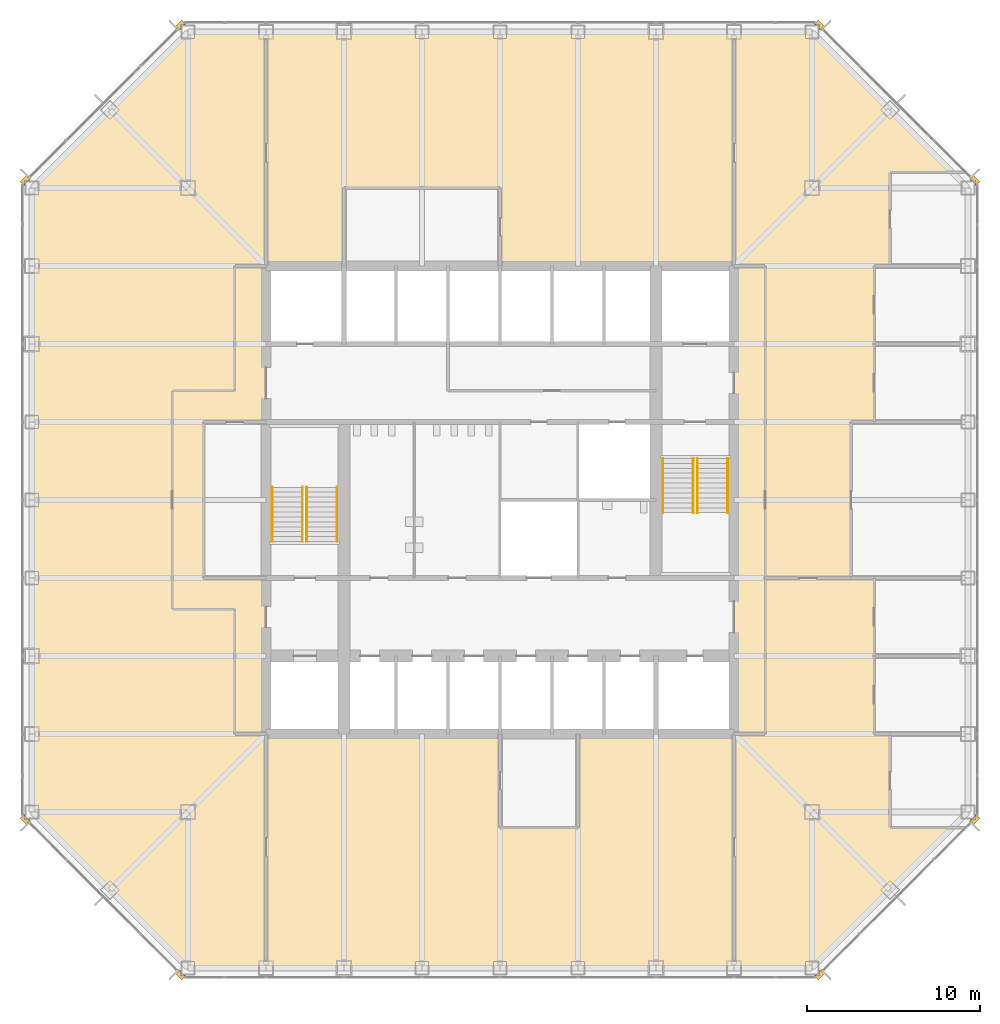
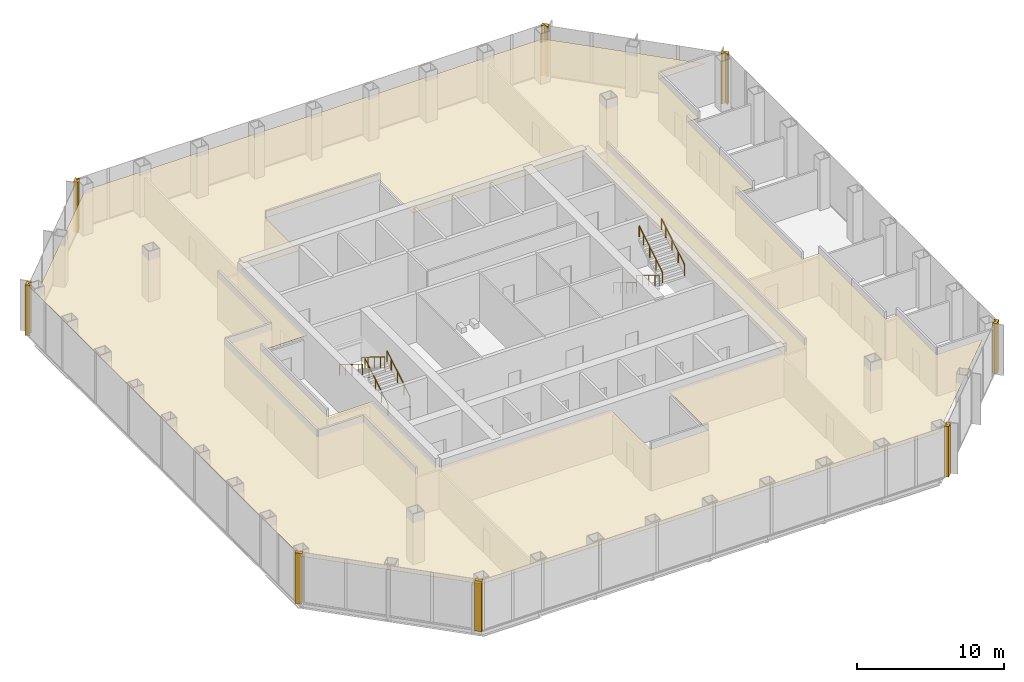
# One storey, part 11 of 12: 9 coverings, 8 railings.
"""IFC4 building model written with IfcOpenShell, lengths in metres."""

from ifc_helpers import new_model, si_unit, direction, frame, origin, origin_2d, place, context, subcontext, project, spatial, polyline, circle, outline, extrude, material, layer, layer_set, type_object, element, save


model = new_model("IFC4")

# Units and contexts
model_context = context("Model", 3, precision=1e-05, world=origin(), true_north=direction((0.0, 1.0)))
body_context = subcontext(model_context, "Body", "Model", "MODEL_VIEW")
ifc_project = project(units=[si_unit("LENGTHUNIT", "METRE"), si_unit("AREAUNIT", "SQUARE_METRE"), si_unit("VOLUMEUNIT", "CUBIC_METRE"), si_unit("PLANEANGLEUNIT", "RADIAN"), si_unit("MASSUNIT", "GRAM", prefix="KILO")], contexts=[model_context])

# Site, building, storey
site_placement = place(None, origin())
site = spatial("IfcSite", under=ifc_project, at=site_placement, CompositionType="ELEMENT")
building_placement = place(site_placement, origin())
building = spatial("IfcBuilding", under=site, at=building_placement, Name="Corais Broadcast Tower", CompositionType="ELEMENT")
storey_placement = place(building_placement, frame((0.0, 0.0, 75.199951171875)))
storey = spatial("IfcBuildingStorey", under=building, at=storey_placement, Name="L16", CompositionType="ELEMENT", Elevation=75.199951171875)

# Railings
ifc_material_1 = material(Name="Stainless steel handrail", Category="steel")
railing_type = type_object("IfcRailingType", Name="Handrail 920", PredefinedType="HANDRAIL", material=ifc_material_1)
for number, where, name in (
    (1, (17.60009765625, 24.60009765625, 0.175048828125), "HR1 L16"),
    (2, (15.85009765625, 24.60009765625, 0.175048828125), "HR1 L16"),
):
    element("IfcRailing", number, at=place(storey_placement, frame(where)), inside=storey, type_object=railing_type, Name=name, PredefinedType="HANDRAIL", context=body_context, shape_type="SweptSolid", body=[
        extrude(circle(Radius=0.02392578125, at=origin_2d()), frame((0.0, 0.0, 0.89599609375), z_axis=(0.0, 0.852166034122, 0.523271488128), x_axis=(-1.0, 0.0, 0.0)), (0.0, 0.0, 1.0), 3.678955078125),
        extrude(circle(Radius=0.02099609375, at=origin_2d()), origin(), (0.0, 0.0, 1.0), 0.871826171875),
        extrude(circle(Radius=0.02099609375, at=origin_2d()), frame((0.0, 0.85498046875, 0.52490234375)), (0.0, 0.0, 1.0), 0.871826171875),
        extrude(circle(Radius=0.02099609375, at=origin_2d()), frame((0.0, 1.7099609375, 1.050048828125)), (0.0, 0.0, 1.0), 0.871826171875),
        extrude(circle(Radius=0.02099609375, at=origin_2d()), frame((0.0, 2.56494140625, 1.574951171875)), (0.0, 0.0, 1.0), 0.871826171875),
        extrude(circle(Radius=0.02099609375, at=origin_2d()), frame((0.0, 3.135009765625, 1.925048828125)), (0.0, 0.0, 1.0), 0.871826171875),
    ])
for number, where, name in (
    (3, (13.85009765625, 27.735107421875, 2.275146484375), "HR1 L16"),
    (4, (15.60009765625, 27.735107421875, 2.275146484375), "HR1 L16"),
):
    element("IfcRailing", number, at=place(storey_placement, frame(where)), inside=storey, type_object=railing_type, Name=name, PredefinedType="HANDRAIL", context=body_context, shape_type="SweptSolid", body=[
        extrude(circle(Radius=0.02392578125, at=origin_2d()), frame((0.0, 0.0, 0.89599609375), z_axis=(0.0, -0.852195625947, 0.523223293744), x_axis=(1.0, 0.0, 0.0)), (0.0, 0.0, 1.0), 3.6787109375),
        extrude(circle(Radius=0.02099609375, at=origin_2d()), origin(), (0.0, 0.0, 1.0), 0.871826171875),
        extrude(circle(Radius=0.02099609375, at=origin_2d()), frame((0.0, -0.85498046875, 0.52490234375)), (0.0, 0.0, 1.0), 0.871826171875),
        extrude(circle(Radius=0.02099609375, at=origin_2d()), frame((0.0, -1.7099609375, 1.0498046875)), (0.0, 0.0, 1.0), 0.871826171875),
        extrude(circle(Radius=0.02099609375, at=origin_2d()), frame((0.0, -2.56494140625, 1.574951171875)), (0.0, 0.0, 1.0), 0.871826171875),
        extrude(circle(Radius=0.02099609375, at=origin_2d()), frame((0.0, -3.135009765625, 1.9248046875)), (0.0, 0.0, 1.0), 0.871826171875),
    ])
for number, where, name in (
    (5, (36.39990234375, 29.39990234375, 0.175048828125), "HR1 L16"),
    (6, (38.14990234375, 29.39990234375, 0.175048828125), "HR1 L16"),
):
    element("IfcRailing", number, at=place(storey_placement, frame(where)), inside=storey, type_object=railing_type, Name=name, PredefinedType="HANDRAIL", context=body_context, shape_type="SweptSolid", body=[
        extrude(circle(Radius=0.02392578125, at=origin_2d()), frame((0.0, 0.0, 0.89599609375), z_axis=(0.0, -0.852166034122, 0.523271488128), x_axis=(1.0, 0.0, 0.0)), (0.0, 0.0, 1.0), 3.678955078125),
        extrude(circle(Radius=0.02099609375, at=origin_2d()), origin(), (0.0, 0.0, 1.0), 0.871826171875),
        extrude(circle(Radius=0.02099609375, at=origin_2d()), frame((0.0, -0.85498046875, 0.52490234375)), (0.0, 0.0, 1.0), 0.871826171875),
        extrude(circle(Radius=0.02099609375, at=origin_2d()), frame((0.0, -1.7099609375, 1.050048828125)), (0.0, 0.0, 1.0), 0.871826171875),
        extrude(circle(Radius=0.02099609375, at=origin_2d()), frame((0.0, -2.56494140625, 1.574951171875)), (0.0, 0.0, 1.0), 0.871826171875),
        extrude(circle(Radius=0.02099609375, at=origin_2d()), frame((0.0, -3.135009765625, 1.925048828125)), (0.0, 0.0, 1.0), 0.871826171875),
    ])
for number, where, name in (
    (7, (40.14990234375, 26.264892578125, 2.275146484375), "HR1 L16"),
    (8, (38.39990234375, 26.264892578125, 2.275146484375), "HR1 L16"),
):
    element("IfcRailing", number, at=place(storey_placement, frame(where)), inside=storey, type_object=railing_type, Name=name, PredefinedType="HANDRAIL", context=body_context, shape_type="SweptSolid", body=[
        extrude(circle(Radius=0.02392578125, at=origin_2d()), frame((0.0, 0.0, 0.89599609375), z_axis=(0.0, 0.852195625947, 0.523223293744), x_axis=(-1.0, 0.0, 0.0)), (0.0, 0.0, 1.0), 3.6787109375),
        extrude(circle(Radius=0.02099609375, at=origin_2d()), origin(), (0.0, 0.0, 1.0), 0.871826171875),
        extrude(circle(Radius=0.02099609375, at=origin_2d()), frame((0.0, 0.85498046875, 0.52490234375)), (0.0, 0.0, 1.0), 0.871826171875),
        extrude(circle(Radius=0.02099609375, at=origin_2d()), frame((0.0, 1.7099609375, 1.0498046875)), (0.0, 0.0, 1.0), 0.871826171875),
        extrude(circle(Radius=0.02099609375, at=origin_2d()), frame((0.0, 2.56494140625, 1.574951171875)), (0.0, 0.0, 1.0), 0.871826171875),
        extrude(circle(Radius=0.02099609375, at=origin_2d()), frame((0.0, 3.135009765625, 1.9248046875)), (0.0, 0.0, 1.0), 0.871826171875),
    ])

# Coverings
ifc_material_2 = material(Name="Granite stone cladding", Category="masonry")
ifc_layer_1 = layer(ifc_material_2, 0.324951171875)
ifc_layer_set_1 = layer_set([ifc_layer_1], Name="Granite stone cladding")
covering_type_1 = type_object("IfcCoveringType", Name="Stone corner pier cladding 500x325", PredefinedType="CLADDING", material=ifc_layer_set_1)
covering_1_placement = place(storey_placement, origin())
element("IfcCovering", 9, at=covering_1_placement, inside=storey, type_object=covering_type_1, Name="SP1 stone corner pier L16", PredefinedType="CLADDING", context=body_context, shape_type="SweptSolid", body=[
    extrude(outline(polyline([(8.860595703125, -0.461669921875), (8.823974609375, -0.425048828125), (8.574951171875, -0.425048828125), (8.574951171875, -0.176025390625), (8.507080078125, -0.108154296875), (8.277099609375, -0.337890625), (8.630859375, -0.69140625), (8.860595703125, -0.461669921875)])), origin(), (0.0, 0.0, 1.0), 4.199951171875),
])
covering_2_placement = place(storey_placement, origin())
element("IfcCovering", 10, at=covering_2_placement, inside=storey, type_object=covering_type_1, Name="SP1 stone corner pier L16", PredefinedType="CLADDING", context=body_context, shape_type="SweptSolid", body=[
    extrude(outline(polyline([(-0.425048828125, 8.823974609375), (-0.461669921875, 8.860595703125), (-0.69140625, 8.630859375), (-0.337890625, 8.277099609375), (-0.108154296875, 8.507080078125), (-0.176025390625, 8.574951171875), (-0.425048828125, 8.574951171875), (-0.425048828125, 8.823974609375)])), origin(), (0.0, 0.0, 1.0), 4.199951171875),
])
covering_3_placement = place(storey_placement, origin())
element("IfcCovering", 11, at=covering_3_placement, inside=storey, type_object=covering_type_1, Name="SP1 stone corner pier L16", PredefinedType="CLADDING", context=body_context, shape_type="SweptSolid", body=[
    extrude(outline(polyline([(-0.461669921875, 45.139404296875), (-0.425048828125, 45.176025390625), (-0.425048828125, 45.425048828125), (-0.176025390625, 45.425048828125), (-0.108154296875, 45.492919921875), (-0.337890625, 45.722900390625), (-0.69140625, 45.369140625), (-0.461669921875, 45.139404296875)])), origin(), (0.0, 0.0, 1.0), 4.199951171875),
])
covering_4_placement = place(storey_placement, origin())
element("IfcCovering", 12, at=covering_4_placement, inside=storey, type_object=covering_type_1, Name="SP1 stone corner pier L16", PredefinedType="CLADDING", context=body_context, shape_type="SweptSolid", body=[
    extrude(outline(polyline([(8.823974609375, 54.425048828125), (8.860595703125, 54.461669921875), (8.630859375, 54.69140625), (8.277099609375, 54.337890625), (8.507080078125, 54.108154296875), (8.574951171875, 54.176025390625), (8.574951171875, 54.425048828125), (8.823974609375, 54.425048828125)])), origin(), (0.0, 0.0, 1.0), 4.199951171875),
])
covering_5_placement = place(storey_placement, origin())
element("IfcCovering", 13, at=covering_5_placement, inside=storey, type_object=covering_type_1, Name="SP1 stone corner pier L16", PredefinedType="CLADDING", context=body_context, shape_type="SweptSolid", body=[
    extrude(outline(polyline([(45.139404296875, 54.461669921875), (45.176025390625, 54.425048828125), (45.425048828125, 54.425048828125), (45.425048828125, 54.176025390625), (45.492919921875, 54.108154296875), (45.722900390625, 54.337890625), (45.369140625, 54.69140625), (45.139404296875, 54.461669921875)])), origin(), (0.0, 0.0, 1.0), 4.199951171875),
])
covering_6_placement = place(storey_placement, origin())
element("IfcCovering", 14, at=covering_6_placement, inside=storey, type_object=covering_type_1, Name="SP1 stone corner pier L16", PredefinedType="CLADDING", context=body_context, shape_type="SweptSolid", body=[
    extrude(outline(polyline([(54.425048828125, 45.176025390625), (54.461669921875, 45.139404296875), (54.69140625, 45.369140625), (54.337890625, 45.722900390625), (54.108154296875, 45.492919921875), (54.176025390625, 45.425048828125), (54.425048828125, 45.425048828125), (54.425048828125, 45.176025390625)])), origin(), (0.0, 0.0, 1.0), 4.199951171875),
])
covering_7_placement = place(storey_placement, origin())
element("IfcCovering", 15, at=covering_7_placement, inside=storey, type_object=covering_type_1, Name="SP1 stone corner pier L16", PredefinedType="CLADDING", context=body_context, shape_type="SweptSolid", body=[
    extrude(outline(polyline([(54.461669921875, 8.860595703125), (54.425048828125, 8.823974609375), (54.425048828125, 8.574951171875), (54.176025390625, 8.574951171875), (54.108154296875, 8.507080078125), (54.337890625, 8.277099609375), (54.69140625, 8.630859375), (54.461669921875, 8.860595703125)])), origin(), (0.0, 0.0, 1.0), 4.199951171875),
])
covering_8_placement = place(storey_placement, origin())
element("IfcCovering", 16, at=covering_8_placement, inside=storey, type_object=covering_type_1, Name="SP1 stone corner pier L16", PredefinedType="CLADDING", context=body_context, shape_type="SweptSolid", body=[
    extrude(outline(polyline([(45.176025390625, -0.425048828125), (45.139404296875, -0.461669921875), (45.369140625, -0.69140625), (45.722900390625, -0.337890625), (45.492919921875, -0.108154296875), (45.425048828125, -0.176025390625), (45.425048828125, -0.425048828125), (45.176025390625, -0.425048828125)])), origin(), (0.0, 0.0, 1.0), 4.199951171875),
])
ifc_material_3 = material(Name="Mineral fibre ceiling tile", Category="mineral")
ifc_layer_2 = layer(ifc_material_3, 0.02001953125)
ifc_layer_set_2 = layer_set([ifc_layer_2], Name="Mineral fibre ceiling tile")
covering_type_2 = type_object("IfcCoveringType", Name="Suspended ceiling", PredefinedType="CEILING", material=ifc_layer_set_2)
covering_9_placement = place(storey_placement, frame((0.0, 0.0, 3.420166015625)))
element("IfcCovering", 17, at=covering_9_placement, inside=storey, type_object=covering_type_2, Name="CE1 ceiling L16", PredefinedType="CEILING", context=body_context, shape_type="SweptSolid", body=[
    extrude(outline(polyline([(48.60009765625, 22.5), (48.60009765625, 13.5), (49.5, 13.5), (49.5, 8.10009765625), (53.10009765625, 8.10009765625), (45.0, 0.0), (9.0, 0.0), (0.0, 9.0), (0.0, 45.0), (9.0, 54.0), (45.0, 54.0), (53.10009765625, 45.89990234375), (49.5, 45.89990234375), (49.5, 40.5), (48.60009765625, 40.5), (48.60009765625, 31.5), (47.25, 31.5), (47.25, 22.5), (48.60009765625, 22.5)]), holes=[polyline([(27.0, 13.5), (27.0, 8.10009765625), (31.5, 8.10009765625), (31.5, 13.5), (40.5, 13.5), (40.5, 40.5), (27.0, 40.5), (27.0, 45.0), (18.0, 45.0), (18.0, 40.5), (13.5, 40.5), (13.5, 31.5), (9.89990234375, 31.5), (9.89990234375, 22.5), (13.5, 22.5), (13.5, 13.5), (27.0, 13.5)])]), origin(), (0.0, 0.0, 1.0), 0.019775390625),
])

save(model, "model.ifc")
